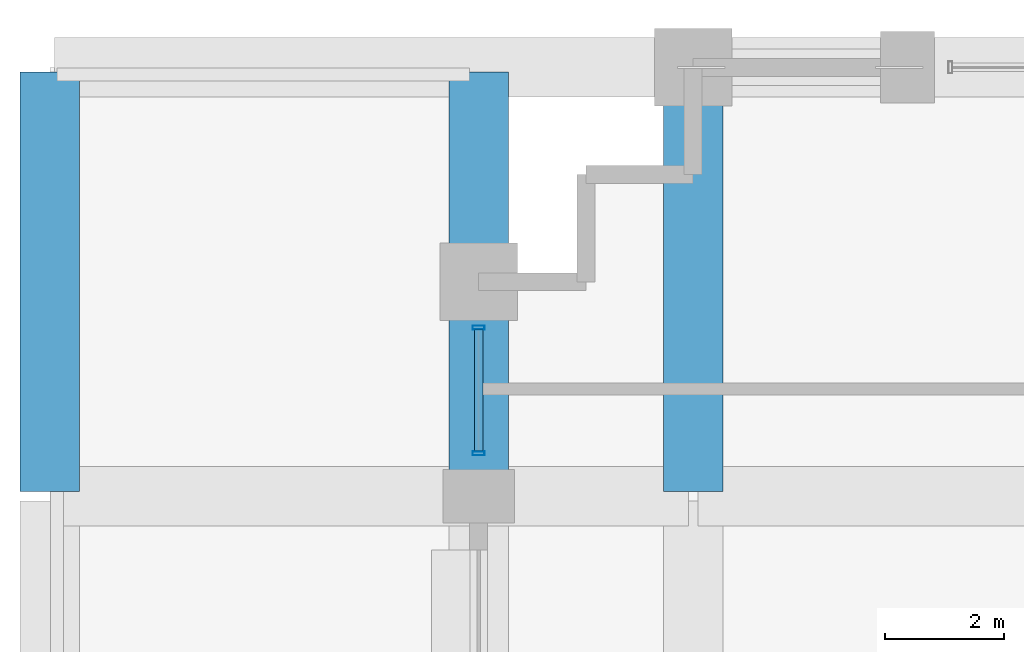
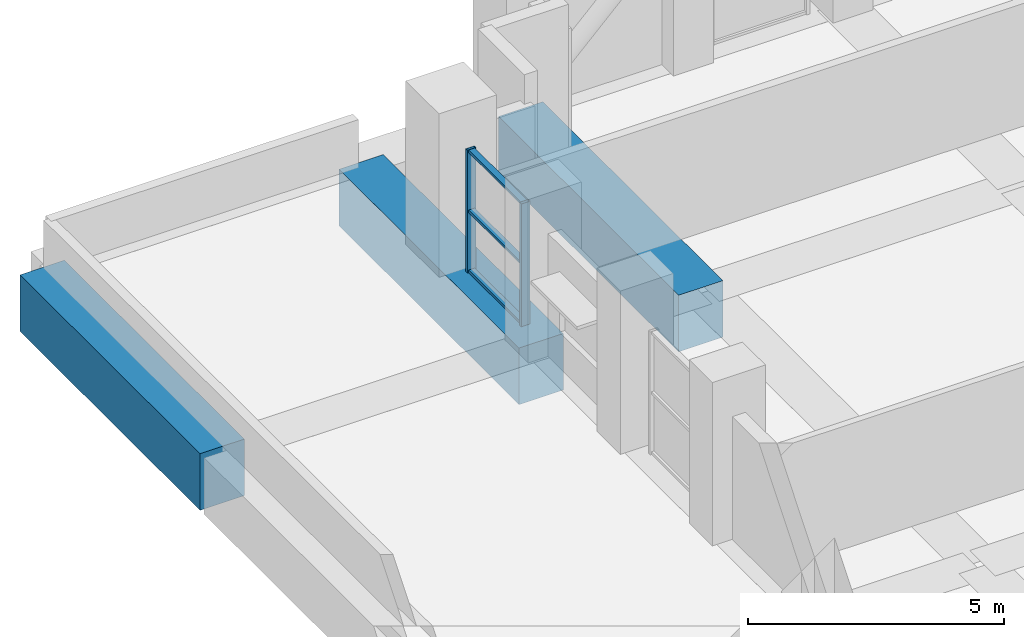
# One storey, part 23 of 39: 5 members, 3 beams, 1 element without a shape of its own.
"""IFC4 building model written with IfcOpenShell, lengths in metres."""

from ifc_helpers import new_model, si_unit, direction, frame, origin, origin_2d, place, context, subcontext, project, spatial, rectangle, hollow_rectangle, extrude, material, layer, layer_set, material_profile, profile_set, type_object, element, aggregate, save


model = new_model("IFC4")

# Units and contexts
model_context = context("Model", 3, precision=1e-05, world=origin(), true_north=direction((0.0, 1.0)))
body_context = subcontext(model_context, "Body", "Model", "MODEL_VIEW")
ifc_project = project(units=[si_unit("LENGTHUNIT", "METRE"), si_unit("AREAUNIT", "SQUARE_METRE"), si_unit("VOLUMEUNIT", "CUBIC_METRE"), si_unit("PLANEANGLEUNIT", "RADIAN"), si_unit("MASSUNIT", "GRAM", prefix="KILO")], contexts=[model_context])

# Site, building, storey
site_placement = place(None, origin())
site = spatial("IfcSite", under=ifc_project, at=site_placement, CompositionType="ELEMENT")
building_placement = place(site_placement, origin())
building = spatial("IfcBuilding", under=site, at=building_placement, Name="Solnavia Interchange Tower", CompositionType="ELEMENT")
storey_placement = place(building_placement, frame((0.0, 0.0, 24.0)))
storey = spatial("IfcBuildingStorey", under=building, at=storey_placement, Name="L05", CompositionType="ELEMENT", Elevation=24.0)

# Beams
ifc_material_1 = material(Name="Concrete C60/75", Category="concrete")
ifc_material_profile_1 = material_profile(ifc_material_1, rectangle(XDim=1.0, YDim=1.35009765625, at=origin_2d()), Name="RC 1000x1350")
ifc_profile_set_1 = profile_set([ifc_material_profile_1], Name="Concrete C60/75")
beam_type = type_object("IfcBeamType", Name="Beam-Transfer-RC1000x1350", PredefinedType="BEAM", material=ifc_profile_set_1)
for number, where, z_axis, x_axis, name in (
    (1, (0.0, 43.280029296875, -0.675048828125), (0.0, 1.0, 0.0), (-1.0, 0.0, 0.0), "TRB-L05-34 West N-S primary transfer girder"),
    (2, (10.800048828125, 43.280029296875, -0.675048828125), (0.0, 1.0, 0.0), (-1.0, 0.0, 0.0), "TRB-L05-39 West N-S primary transfer girder"),
    (3, (7.199951171875, 43.280029296875, -0.675048828125), (0.0, 1.0, 0.0), (-1.0, 0.0, 0.0), "TRB-L05-58 West tower perimeter transfer girder"),
):
    element("IfcBeam", number, at=place(storey_placement, frame(where, z_axis=z_axis, x_axis=x_axis)), inside=storey, type_object=beam_type, Name=name, PredefinedType="BEAM", context=body_context, shape_type="SweptSolid", body=[
        extrude(rectangle(XDim=1.0, YDim=1.35009765625, at=origin_2d()), origin(), (0.0, 0.0, 1.0), 7.0400390625),
    ])

# Curtain wall, members
ifc_material_2 = material(Name="Aluminium Alloy 6063-T6", Category="aluminium")
ifc_layer = layer(ifc_material_2, 0.219970703125)
ifc_layer_set = layer_set([ifc_layer], Name="Aluminium Alloy 6063-T6")
curtain_wall_type = type_object("IfcCurtainWallType", Name="CurtainWall-Tower-CTW3", PredefinedType="NOTDEFINED", material=ifc_layer_set)
curtain_wall_placement = place(storey_placement, origin())
curtain_wall = element("IfcCurtainWall", 4, at=curtain_wall_placement, inside=storey, type_object=curtain_wall_type, Name="CTW-L05-S50 CTW-3 curtain wall", PredefinedType="NOTDEFINED")
ifc_material_profile_2 = material_profile(ifc_material_2, hollow_rectangle(XDim=0.070068359375, YDim=0.199951171875, WallThickness=0.0048828125, at=origin_2d()), Name="ALU 200x70x5")
ifc_profile_set_2 = profile_set([ifc_material_profile_2], Name="Aluminium Alloy 6063-T6")
member_type_1 = type_object("IfcMemberType", Name="CW-Mullion-CWM-3", PredefinedType="MULLION", material=ifc_profile_set_2)
member_1_placement = place(storey_placement, frame((7.199951171875, 46.030029296875, 0.0), z_axis=(0.0, 0.0, 1.0), x_axis=(0.0, -1.0, 0.0)))
member_1 = element("IfcMember", 5, at=member_1_placement, type_object=member_type_1, Name="CTW-3 mullion 1", PredefinedType="MULLION", context=body_context, shape_type="SweptSolid", body=[
    extrude(hollow_rectangle(XDim=0.070068359375, YDim=0.199951171875, WallThickness=0.0048828125, at=origin_2d()), origin(), (0.0, 0.0, 1.0), 2.929931640625),
])
member_2_placement = place(storey_placement, frame((7.199951171875, 43.919921875, 0.0), z_axis=(0.0, 0.0, 1.0), x_axis=(0.0, -1.0, 0.0)))
member_2 = element("IfcMember", 6, at=member_2_placement, type_object=member_type_1, Name="CTW-3 mullion 2", PredefinedType="MULLION", context=body_context, shape_type="SweptSolid", body=[
    extrude(hollow_rectangle(XDim=0.070068359375, YDim=0.199951171875, WallThickness=0.0048828125, at=origin_2d()), origin(), (0.0, 0.0, 1.0), 2.929931640625),
])
ifc_material_profile_3 = material_profile(ifc_material_2, hollow_rectangle(XDim=0.06494140625, YDim=0.139892578125, WallThickness=0.00390625, at=origin_2d()), Name="ALU 140x65x4")
ifc_profile_set_3 = profile_set([ifc_material_profile_3], Name="Aluminium Alloy 6063-T6")
member_type_2 = type_object("IfcMemberType", Name="CW-Transom-CWT-3", PredefinedType="USERDEFINED", material=ifc_profile_set_3)
member_3_placement = place(storey_placement, frame((7.199951171875, 45.9951171875, 0.032470703125), z_axis=(0.0, -1.0, 0.0), x_axis=(0.0, 0.0, 1.0)))
member_3 = element("IfcMember", 7, at=member_3_placement, type_object=member_type_2, Name="CTW-3 transom 1.1", ObjectType="TRANSOM", PredefinedType="USERDEFINED", context=body_context, shape_type="SweptSolid", body=[
    extrude(hollow_rectangle(XDim=0.06494140625, YDim=0.139892578125, WallThickness=0.00390625, at=origin_2d()), origin(), (0.0, 0.0, 1.0), 2.0400390625),
])
member_4_placement = place(storey_placement, frame((7.199951171875, 45.9951171875, 1.465087890625), z_axis=(0.0, -1.0, 0.0), x_axis=(0.0, 0.0, 1.0)))
member_4 = element("IfcMember", 8, at=member_4_placement, type_object=member_type_2, Name="CTW-3 transom 1.2", ObjectType="TRANSOM", PredefinedType="USERDEFINED", context=body_context, shape_type="SweptSolid", body=[
    extrude(hollow_rectangle(XDim=0.06494140625, YDim=0.139892578125, WallThickness=0.00390625, at=origin_2d()), origin(), (0.0, 0.0, 1.0), 2.0400390625),
])
member_5_placement = place(storey_placement, frame((7.199951171875, 45.9951171875, 2.8974609375), z_axis=(0.0, -1.0, 0.0), x_axis=(0.0, 0.0, 1.0)))
member_5 = element("IfcMember", 9, at=member_5_placement, type_object=member_type_2, Name="CTW-3 transom 1.3", ObjectType="TRANSOM", PredefinedType="USERDEFINED", context=body_context, shape_type="SweptSolid", body=[
    extrude(hollow_rectangle(XDim=0.06494140625, YDim=0.139892578125, WallThickness=0.00390625, at=origin_2d()), origin(), (0.0, 0.0, 1.0), 2.0400390625),
])
aggregate(curtain_wall, [member_1, member_2, member_3, member_4, member_5])

save(model, "model.ifc")
